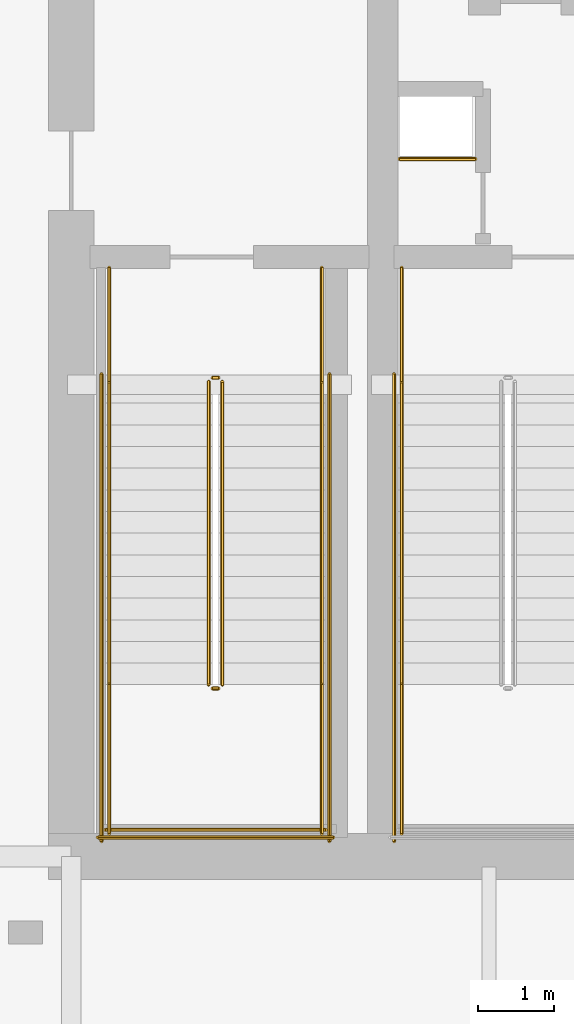
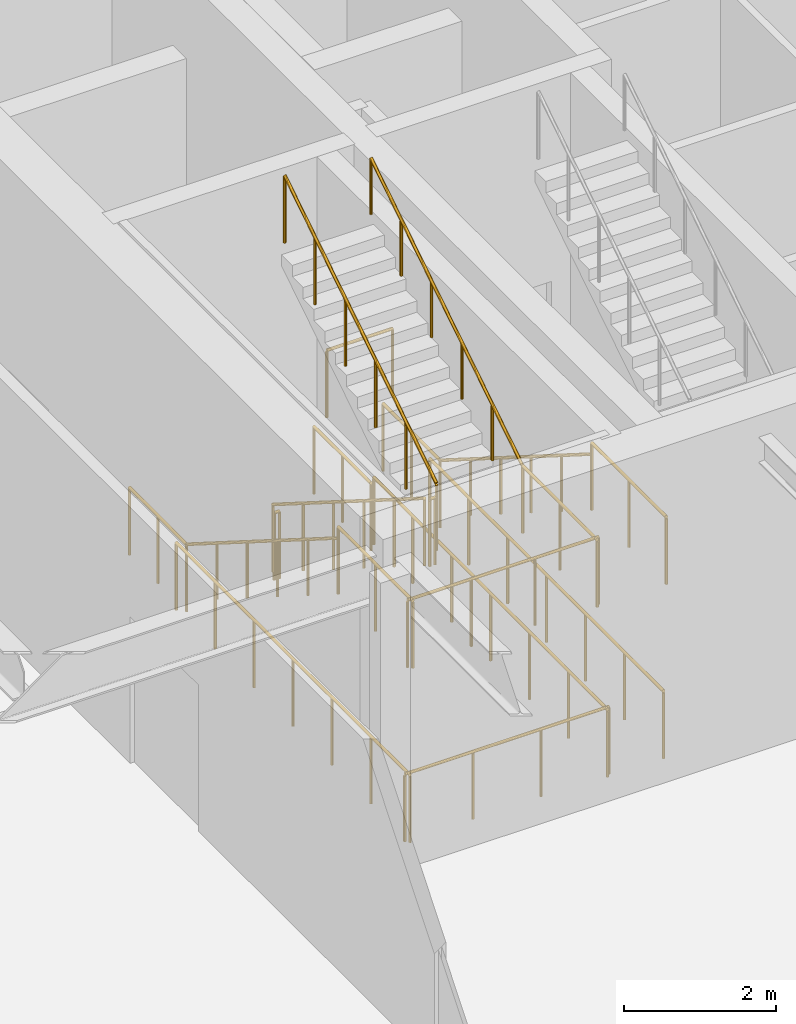
# One storey, part 11 of 16: 19 railings.
"""IFC4 building model written with IfcOpenShell, lengths in metres."""

from ifc_helpers import new_model, si_unit, direction, frame, origin, origin_2d, place, context, subcontext, project, spatial, circle, extrude, material, type_object, element, save


model = new_model("IFC4")

# Units and contexts
model_context = context("Model", 3, precision=1e-05, world=origin(), true_north=direction((0.0, 1.0)))
body_context = subcontext(model_context, "Body", "Model", "MODEL_VIEW")
ifc_project = project(units=[si_unit("LENGTHUNIT", "METRE"), si_unit("AREAUNIT", "SQUARE_METRE"), si_unit("VOLUMEUNIT", "CUBIC_METRE"), si_unit("PLANEANGLEUNIT", "RADIAN"), si_unit("MASSUNIT", "GRAM", prefix="KILO")], contexts=[model_context])

# Site, building, storey
site_placement = place(None, origin())
site = spatial("IfcSite", under=ifc_project, at=site_placement, CompositionType="ELEMENT")
building_placement = place(site_placement, origin())
building = spatial("IfcBuilding", under=site, at=building_placement, Name="Bramvorn Convention Spire", CompositionType="ELEMENT")
storey_placement = place(building_placement, frame((0.0, 0.0, 6.60009765625)))
storey = spatial("IfcBuildingStorey", under=building, at=storey_placement, Name="L01", CompositionType="ELEMENT", Elevation=6.60009765625)

# Railings
ifc_material_1 = material(Name="Painted Steel Balustrade & Guardrail", Category="steel")
railing_type_1 = type_object("IfcRailingType", Name="RL-STAIR-GUARD-1100", PredefinedType="GUARDRAIL", material=ifc_material_1)
railing_1_placement = place(storey_placement, frame((28.81005859375, 25.050048828125, 0.179931640625)))
element("IfcRailing", 1, at=railing_1_placement, inside=storey, type_object=railing_type_1, Name="L01 ST1 stair guard 1", PredefinedType="GUARDRAIL", context=body_context, shape_type="SweptSolid", body=[
    extrude(circle(Radius=0.02392578125, at=origin_2d()), frame((0.0, 0.0, 1.076171875), z_axis=(0.0, -0.845486444383, 0.533996884227), x_axis=(1.0, 0.0, 0.0)), (0.0, 0.0, 1.0), 4.71923828125),
    extrude(circle(Radius=0.02099609375, at=origin_2d()), origin(), (0.0, 0.0, 1.0), 1.052001953125),
    extrude(circle(Radius=0.02099609375, at=origin_2d()), frame((0.0, -0.798095703125, 0.50390625)), (0.0, 0.0, 1.0), 1.052001953125),
    extrude(circle(Radius=0.02099609375, at=origin_2d()), frame((0.0, -1.595947265625, 1.008056640625)), (0.0, 0.0, 1.0), 1.052001953125),
    extrude(circle(Radius=0.02099609375, at=origin_2d()), frame((0.0, -2.39404296875, 1.511962890625)), (0.0, 0.0, 1.0), 1.052001953125),
    extrude(circle(Radius=0.02099609375, at=origin_2d()), frame((0.0, -3.19189453125, 2.01611328125)), (0.0, 0.0, 1.0), 1.052001953125),
    extrude(circle(Radius=0.02099609375, at=origin_2d()), frame((0.0, -3.989990234375, 2.52001953125)), (0.0, 0.0, 1.0), 1.052001953125),
])
railing_2_placement = place(storey_placement, frame((28.860107421875, 21.010009765625, 2.699951171875)))
element("IfcRailing", 2, at=railing_2_placement, inside=storey, type_object=railing_type_1, Name="L01 ST1 stair guard 2", PredefinedType="GUARDRAIL", context=body_context, shape_type="SweptSolid", body=[
    extrude(circle(Radius=0.02392578125, at=origin_2d()), frame((0.0, 0.0, 1.076171875), z_axis=(1.0, 0.0, 0.0), x_axis=(0.0, 1.0, 0.0)), (0.0, 0.0, 1.0), 0.079833984375),
    extrude(circle(Radius=0.02099609375, at=origin_2d()), origin(), (0.0, 0.0, 1.0), 1.052001953125),
    extrude(circle(Radius=0.02099609375, at=origin_2d()), frame((0.079833984375, 0.0, 0.0)), (0.0, 0.0, 1.0), 1.052001953125),
])
for number, where, name in (
    (3, (27.5, 21.06005859375, 2.699951171875), "L01 ST1 stair guard 3"),
    (4, (30.300048828125, 21.06005859375, 2.699951171875), "L01 ST1 stair guard 4"),
):
    element("IfcRailing", number, at=place(storey_placement, frame(where)), inside=storey, type_object=railing_type_1, Name=name, PredefinedType="GUARDRAIL", context=body_context, shape_type="SweptSolid", body=[
        extrude(circle(Radius=0.02392578125, at=origin_2d()), frame((0.0, 0.0, 1.076171875), z_axis=(0.0, -1.0, 0.0), x_axis=(1.0, 0.0, 0.0)), (0.0, 0.0, 1.0), 1.9599609375),
        extrude(circle(Radius=0.02099609375, at=origin_2d()), origin(), (0.0, 0.0, 1.0), 1.052001953125),
        extrude(circle(Radius=0.02099609375, at=origin_2d()), frame((0.0, -0.97998046875, 0.0)), (0.0, 0.0, 1.0), 1.052001953125),
        extrude(circle(Radius=0.02099609375, at=origin_2d()), frame((0.0, -1.9599609375, 0.0)), (0.0, 0.0, 1.0), 1.052001953125),
    ])
railing_3_placement = place(storey_placement, frame((27.449951171875, 19.14990234375, 2.699951171875)))
element("IfcRailing", 5, at=railing_3_placement, inside=storey, type_object=railing_type_1, Name="L01 ST1 stair guard 5", PredefinedType="GUARDRAIL", context=body_context, shape_type="SweptSolid", body=[
    extrude(circle(Radius=0.02392578125, at=origin_2d()), frame((0.0, 0.0, 1.076171875), z_axis=(1.0, 0.0, 0.0), x_axis=(0.0, 1.0, 0.0)), (0.0, 0.0, 1.0), 2.900146484375),
    extrude(circle(Radius=0.02099609375, at=origin_2d()), origin(), (0.0, 0.0, 1.0), 1.052001953125),
    extrude(circle(Radius=0.02099609375, at=origin_2d()), frame((0.966796875, 0.0, 0.0)), (0.0, 0.0, 1.0), 1.052001953125),
    extrude(circle(Radius=0.02099609375, at=origin_2d()), frame((1.933349609375, 0.0, 0.0)), (0.0, 0.0, 1.0), 1.052001953125),
    extrude(circle(Radius=0.02099609375, at=origin_2d()), frame((2.900146484375, 0.0, 0.0)), (0.0, 0.0, 1.0), 1.052001953125),
])
railing_4_placement = place(storey_placement, frame((28.989990234375, 21.06005859375, 2.8798828125)))
element("IfcRailing", 6, at=railing_4_placement, inside=storey, type_object=railing_type_1, Name="L01 ST1 stair guard 6", PredefinedType="GUARDRAIL", context=body_context, shape_type="SweptSolid", body=[
    extrude(circle(Radius=0.02392578125, at=origin_2d()), frame((0.0, 0.0, 1.076171875), z_axis=(0.0, 0.845486444383, 0.533996884227), x_axis=(-1.0, 0.0, 0.0)), (0.0, 0.0, 1.0), 4.71923828125),
    extrude(circle(Radius=0.02099609375, at=origin_2d()), origin(), (0.0, 0.0, 1.0), 1.052001953125),
    extrude(circle(Radius=0.02099609375, at=origin_2d()), frame((0.0, 0.798095703125, 0.50390625)), (0.0, 0.0, 1.0), 1.052001953125),
    extrude(circle(Radius=0.02099609375, at=origin_2d()), frame((0.0, 1.595947265625, 1.008056640625)), (0.0, 0.0, 1.0), 1.052001953125),
    extrude(circle(Radius=0.02099609375, at=origin_2d()), frame((0.0, 2.39404296875, 1.511962890625)), (0.0, 0.0, 1.0), 1.052001953125),
    extrude(circle(Radius=0.02099609375, at=origin_2d()), frame((0.0, 3.19189453125, 2.01611328125)), (0.0, 0.0, 1.0), 1.052001953125),
    extrude(circle(Radius=0.02099609375, at=origin_2d()), frame((0.0, 3.989990234375, 2.52001953125)), (0.0, 0.0, 1.0), 1.052001953125),
])
railing_5_placement = place(storey_placement, frame((28.860107421875, 25.10009765625, 0.0)))
element("IfcRailing", 7, at=railing_5_placement, inside=storey, type_object=railing_type_1, Name="L01 ST1 stair guard 7", PredefinedType="GUARDRAIL", context=body_context, shape_type="SweptSolid", body=[
    extrude(circle(Radius=0.02392578125, at=origin_2d()), frame((0.0, 0.0, 1.076171875), z_axis=(1.0, 0.0, 0.0), x_axis=(0.0, 1.0, 0.0)), (0.0, 0.0, 1.0), 0.079833984375),
    extrude(circle(Radius=0.02099609375, at=origin_2d()), origin(), (0.0, 0.0, 1.0), 1.052001953125),
    extrude(circle(Radius=0.02099609375, at=origin_2d()), frame((0.079833984375, 0.0, 0.0)), (0.0, 0.0, 1.0), 1.052001953125),
])
for number, where, name in (
    (8, (27.5, 26.550048828125, 0.0), "L01 ST1 stair guard 8"),
    (9, (30.300048828125, 26.550048828125, 0.0), "L01 ST1 stair guard 9"),
):
    element("IfcRailing", number, at=place(storey_placement, frame(where)), inside=storey, type_object=railing_type_1, Name=name, PredefinedType="GUARDRAIL", context=body_context, shape_type="SweptSolid", body=[
        extrude(circle(Radius=0.02392578125, at=origin_2d()), frame((0.0, 0.0, 1.076171875), z_axis=(0.0, -1.0, 0.0), x_axis=(1.0, 0.0, 0.0)), (0.0, 0.0, 1.0), 1.5),
        extrude(circle(Radius=0.02099609375, at=origin_2d()), origin(), (0.0, 0.0, 1.0), 1.052001953125),
        extrude(circle(Radius=0.02099609375, at=origin_2d()), frame((0.0, -0.75, 0.0)), (0.0, 0.0, 1.0), 1.052001953125),
        extrude(circle(Radius=0.02099609375, at=origin_2d()), frame((0.0, -1.5, 0.0)), (0.0, 0.0, 1.0), 1.052001953125),
    ])
for number, where, name in (
    (10, (27.39990234375, 25.14990234375, 0.0), "L01 ST1 stair guard 10"),
    (11, (30.39990234375, 25.14990234375, 0.0), "L01 ST1 stair guard 11"),
):
    element("IfcRailing", number, at=place(storey_placement, frame(where)), inside=storey, type_object=railing_type_1, Name=name, PredefinedType="GUARDRAIL", context=body_context, shape_type="SweptSolid", body=[
        extrude(circle(Radius=0.02392578125, at=origin_2d()), frame((0.0, 0.0, 1.076171875), z_axis=(0.0, -1.0, 0.0), x_axis=(1.0, 0.0, 0.0)), (0.0, 0.0, 1.0), 6.14990234375),
        extrude(circle(Radius=0.02099609375, at=origin_2d()), origin(), (0.0, 0.0, 1.0), 1.052001953125),
        extrude(circle(Radius=0.02099609375, at=origin_2d()), frame((0.0, -1.02490234375, 0.0)), (0.0, 0.0, 1.0), 1.052001953125),
        extrude(circle(Radius=0.02099609375, at=origin_2d()), frame((0.0, -2.050048828125, 0.0)), (0.0, 0.0, 1.0), 1.052001953125),
        extrude(circle(Radius=0.02099609375, at=origin_2d()), frame((0.0, -3.074951171875, 0.0)), (0.0, 0.0, 1.0), 1.052001953125),
        extrude(circle(Radius=0.02099609375, at=origin_2d()), frame((0.0, -4.099853515625, 0.0)), (0.0, 0.0, 1.0), 1.052001953125),
        extrude(circle(Radius=0.02099609375, at=origin_2d()), frame((0.0, -5.125, 0.0)), (0.0, 0.0, 1.0), 1.052001953125),
        extrude(circle(Radius=0.02099609375, at=origin_2d()), frame((0.0, -6.14990234375, 0.0)), (0.0, 0.0, 1.0), 1.052001953125),
    ])
railing_6_placement = place(storey_placement, frame((27.35009765625, 19.050048828125, 0.0)))
element("IfcRailing", 12, at=railing_6_placement, inside=storey, type_object=railing_type_1, Name="L01 ST1 stair guard 12", PredefinedType="GUARDRAIL", context=body_context, shape_type="SweptSolid", body=[
    extrude(circle(Radius=0.02392578125, at=origin_2d()), frame((0.0, 0.0, 1.076171875), z_axis=(1.0, 0.0, 0.0), x_axis=(0.0, 1.0, 0.0)), (0.0, 0.0, 1.0), 3.099853515625),
    extrude(circle(Radius=0.02099609375, at=origin_2d()), origin(), (0.0, 0.0, 1.0), 1.052001953125),
    extrude(circle(Radius=0.02099609375, at=origin_2d()), frame((1.033203125, 0.0, 0.0)), (0.0, 0.0, 1.0), 1.052001953125),
    extrude(circle(Radius=0.02099609375, at=origin_2d()), frame((2.066650390625, 0.0, 0.0)), (0.0, 0.0, 1.0), 1.052001953125),
    extrude(circle(Radius=0.02099609375, at=origin_2d()), frame((3.099853515625, 0.0, 0.0)), (0.0, 0.0, 1.0), 1.052001953125),
])
railing_7_placement = place(storey_placement, frame((31.35009765625, 21.06005859375, 2.699951171875)))
element("IfcRailing", 13, at=railing_7_placement, inside=storey, type_object=railing_type_1, Name="L01 ST3 stair guard 3", PredefinedType="GUARDRAIL", context=body_context, shape_type="SweptSolid", body=[
    extrude(circle(Radius=0.02392578125, at=origin_2d()), frame((0.0, 0.0, 1.076171875), z_axis=(0.0, -1.0, 0.0), x_axis=(1.0, 0.0, 0.0)), (0.0, 0.0, 1.0), 1.9599609375),
    extrude(circle(Radius=0.02099609375, at=origin_2d()), origin(), (0.0, 0.0, 1.0), 1.052001953125),
    extrude(circle(Radius=0.02099609375, at=origin_2d()), frame((0.0, -0.97998046875, 0.0)), (0.0, 0.0, 1.0), 1.052001953125),
    extrude(circle(Radius=0.02099609375, at=origin_2d()), frame((0.0, -1.9599609375, 0.0)), (0.0, 0.0, 1.0), 1.052001953125),
])
railing_8_placement = place(storey_placement, frame((31.35009765625, 26.550048828125, 0.0)))
element("IfcRailing", 14, at=railing_8_placement, inside=storey, type_object=railing_type_1, Name="L01 ST3 stair guard 8", PredefinedType="GUARDRAIL", context=body_context, shape_type="SweptSolid", body=[
    extrude(circle(Radius=0.02392578125, at=origin_2d()), frame((0.0, 0.0, 1.076171875), z_axis=(0.0, -1.0, 0.0), x_axis=(1.0, 0.0, 0.0)), (0.0, 0.0, 1.0), 1.5),
    extrude(circle(Radius=0.02099609375, at=origin_2d()), origin(), (0.0, 0.0, 1.0), 1.052001953125),
    extrude(circle(Radius=0.02099609375, at=origin_2d()), frame((0.0, -0.75, 0.0)), (0.0, 0.0, 1.0), 1.052001953125),
    extrude(circle(Radius=0.02099609375, at=origin_2d()), frame((0.0, -1.5, 0.0)), (0.0, 0.0, 1.0), 1.052001953125),
])
railing_9_placement = place(storey_placement, frame((31.25, 25.14990234375, 0.0)))
element("IfcRailing", 15, at=railing_9_placement, inside=storey, type_object=railing_type_1, Name="L01 ST3 stair guard 10", PredefinedType="GUARDRAIL", context=body_context, shape_type="SweptSolid", body=[
    extrude(circle(Radius=0.02392578125, at=origin_2d()), frame((0.0, 0.0, 1.076171875), z_axis=(0.0, -1.0, 0.0), x_axis=(1.0, 0.0, 0.0)), (0.0, 0.0, 1.0), 6.14990234375),
    extrude(circle(Radius=0.02099609375, at=origin_2d()), origin(), (0.0, 0.0, 1.0), 1.052001953125),
    extrude(circle(Radius=0.02099609375, at=origin_2d()), frame((0.0, -1.02490234375, 0.0)), (0.0, 0.0, 1.0), 1.052001953125),
    extrude(circle(Radius=0.02099609375, at=origin_2d()), frame((0.0, -2.050048828125, 0.0)), (0.0, 0.0, 1.0), 1.052001953125),
    extrude(circle(Radius=0.02099609375, at=origin_2d()), frame((0.0, -3.074951171875, 0.0)), (0.0, 0.0, 1.0), 1.052001953125),
    extrude(circle(Radius=0.02099609375, at=origin_2d()), frame((0.0, -4.099853515625, 0.0)), (0.0, 0.0, 1.0), 1.052001953125),
    extrude(circle(Radius=0.02099609375, at=origin_2d()), frame((0.0, -5.125, 0.0)), (0.0, 0.0, 1.0), 1.052001953125),
    extrude(circle(Radius=0.02099609375, at=origin_2d()), frame((0.0, -6.14990234375, 0.0)), (0.0, 0.0, 1.0), 1.052001953125),
])
railing_10_placement = place(storey_placement, frame((31.320068359375, 27.97998046875, 0.0)))
element("IfcRailing", 16, at=railing_10_placement, inside=storey, type_object=railing_type_1, Name="L01 Telecom riser shaft opening safety guardrail", PredefinedType="GUARDRAIL", context=body_context, shape_type="SweptSolid", body=[
    extrude(circle(Radius=0.02392578125, at=origin_2d()), frame((0.0, 0.0, 1.076171875), z_axis=(1.0, 0.0, 0.0), x_axis=(0.0, 1.0, 0.0)), (0.0, 0.0, 1.0), 1.0),
    extrude(circle(Radius=0.02099609375, at=origin_2d()), origin(), (0.0, 0.0, 1.0), 1.052001953125),
    extrude(circle(Radius=0.02099609375, at=origin_2d()), frame((1.0, 0.0, 0.0)), (0.0, 0.0, 1.0), 1.052001953125),
])
ifc_material_2 = material(Name="Brushed Bronze Tubular Handrail", Category="aluminium")
railing_type_2 = type_object("IfcRailingType", Name="RL-STAIR-HR-920", PredefinedType="HANDRAIL", material=ifc_material_2)
railing_11_placement = place(storey_placement, frame((27.5, 25.050048828125, 0.179931640625)))
element("IfcRailing", 17, at=railing_11_placement, inside=storey, type_object=railing_type_2, Name="L01 ST1 stair handrail 1", PredefinedType="HANDRAIL", context=body_context, shape_type="SweptSolid", body=[
    extrude(circle(Radius=0.02392578125, at=origin_2d()), frame((0.0, 0.0, 0.89599609375), z_axis=(0.0, -0.845486444383, 0.533996884227), x_axis=(1.0, 0.0, 0.0)), (0.0, 0.0, 1.0), 4.71923828125),
    extrude(circle(Radius=0.02099609375, at=origin_2d()), origin(), (0.0, 0.0, 1.0), 0.871826171875),
    extrude(circle(Radius=0.02099609375, at=origin_2d()), frame((0.0, -0.798095703125, 0.50390625)), (0.0, 0.0, 1.0), 0.871826171875),
    extrude(circle(Radius=0.02099609375, at=origin_2d()), frame((0.0, -1.595947265625, 1.008056640625)), (0.0, 0.0, 1.0), 0.871826171875),
    extrude(circle(Radius=0.02099609375, at=origin_2d()), frame((0.0, -2.39404296875, 1.511962890625)), (0.0, 0.0, 1.0), 0.871826171875),
    extrude(circle(Radius=0.02099609375, at=origin_2d()), frame((0.0, -3.19189453125, 2.01611328125)), (0.0, 0.0, 1.0), 0.871826171875),
    extrude(circle(Radius=0.02099609375, at=origin_2d()), frame((0.0, -3.989990234375, 2.52001953125)), (0.0, 0.0, 1.0), 0.871826171875),
])
railing_12_placement = place(storey_placement, frame((30.300048828125, 21.06005859375, 2.8798828125)))
element("IfcRailing", 18, at=railing_12_placement, inside=storey, type_object=railing_type_2, Name="L01 ST1 stair handrail 2", PredefinedType="HANDRAIL", context=body_context, shape_type="SweptSolid", body=[
    extrude(circle(Radius=0.02392578125, at=origin_2d()), frame((0.0, 0.0, 0.89599609375), z_axis=(0.0, 0.845486444383, 0.533996884227), x_axis=(-1.0, 0.0, 0.0)), (0.0, 0.0, 1.0), 4.71923828125),
    extrude(circle(Radius=0.02099609375, at=origin_2d()), origin(), (0.0, 0.0, 1.0), 0.871826171875),
    extrude(circle(Radius=0.02099609375, at=origin_2d()), frame((0.0, 0.798095703125, 0.50390625)), (0.0, 0.0, 1.0), 0.871826171875),
    extrude(circle(Radius=0.02099609375, at=origin_2d()), frame((0.0, 1.595947265625, 1.008056640625)), (0.0, 0.0, 1.0), 0.871826171875),
    extrude(circle(Radius=0.02099609375, at=origin_2d()), frame((0.0, 2.39404296875, 1.511962890625)), (0.0, 0.0, 1.0), 0.871826171875),
    extrude(circle(Radius=0.02099609375, at=origin_2d()), frame((0.0, 3.19189453125, 2.01611328125)), (0.0, 0.0, 1.0), 0.871826171875),
    extrude(circle(Radius=0.02099609375, at=origin_2d()), frame((0.0, 3.989990234375, 2.52001953125)), (0.0, 0.0, 1.0), 0.871826171875),
])
railing_13_placement = place(storey_placement, frame((31.35009765625, 25.050048828125, 0.179931640625)))
element("IfcRailing", 19, at=railing_13_placement, inside=storey, type_object=railing_type_2, Name="L01 ST3 stair handrail 1", PredefinedType="HANDRAIL", context=body_context, shape_type="SweptSolid", body=[
    extrude(circle(Radius=0.02392578125, at=origin_2d()), frame((0.0, 0.0, 0.89599609375), z_axis=(0.0, -0.845486444383, 0.533996884227), x_axis=(1.0, 0.0, 0.0)), (0.0, 0.0, 1.0), 4.71923828125),
    extrude(circle(Radius=0.02099609375, at=origin_2d()), origin(), (0.0, 0.0, 1.0), 0.871826171875),
    extrude(circle(Radius=0.02099609375, at=origin_2d()), frame((0.0, -0.798095703125, 0.50390625)), (0.0, 0.0, 1.0), 0.871826171875),
    extrude(circle(Radius=0.02099609375, at=origin_2d()), frame((0.0, -1.595947265625, 1.008056640625)), (0.0, 0.0, 1.0), 0.871826171875),
    extrude(circle(Radius=0.02099609375, at=origin_2d()), frame((0.0, -2.39404296875, 1.511962890625)), (0.0, 0.0, 1.0), 0.871826171875),
    extrude(circle(Radius=0.02099609375, at=origin_2d()), frame((0.0, -3.19189453125, 2.01611328125)), (0.0, 0.0, 1.0), 0.871826171875),
    extrude(circle(Radius=0.02099609375, at=origin_2d()), frame((0.0, -3.989990234375, 2.52001953125)), (0.0, 0.0, 1.0), 0.871826171875),
])

save(model, "model.ifc")
